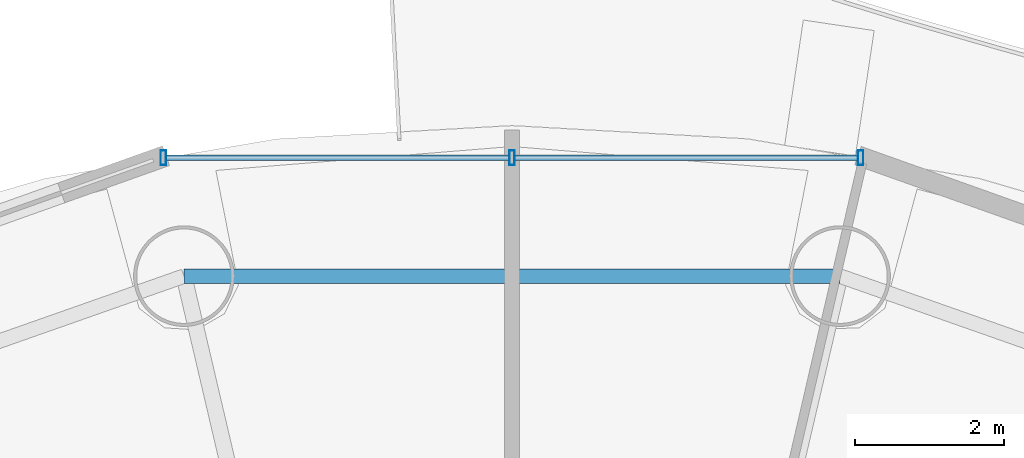
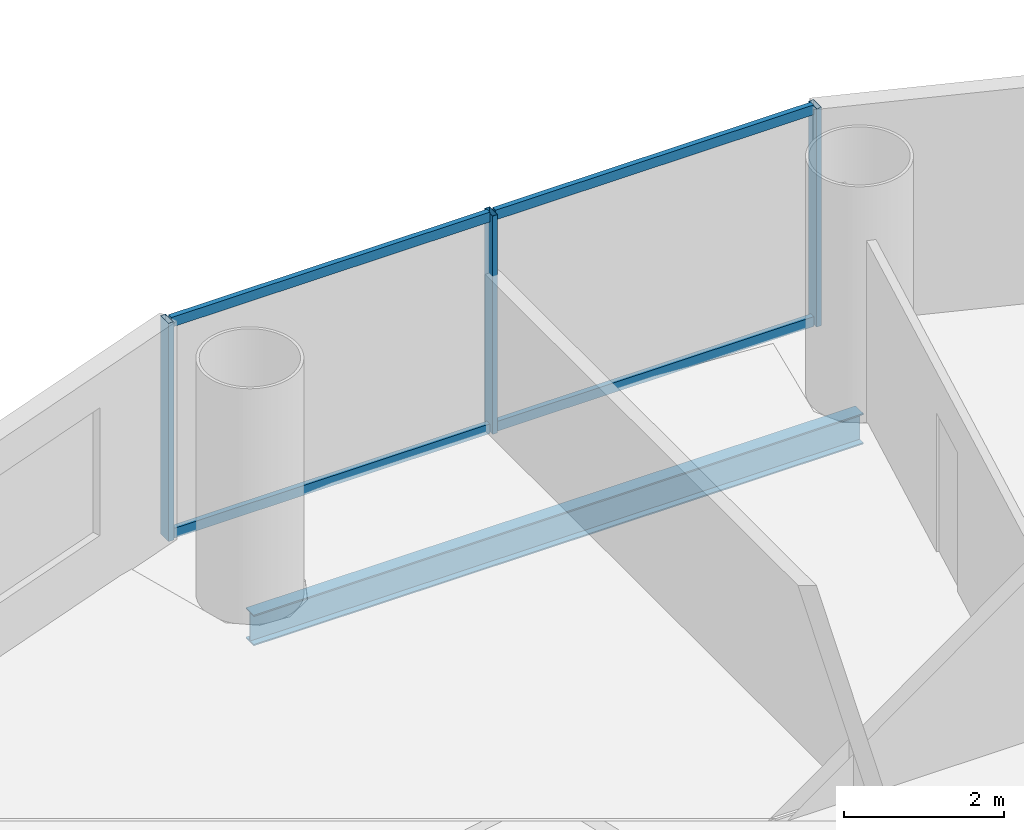
# One storey, part 16 of 26: 7 members, 1 beam, 1 element without a shape of its own.
"""IFC4 building model written with IfcOpenShell, lengths in metres."""

from ifc_helpers import new_model, si_unit, direction, frame, origin, origin_2d, place, context, subcontext, project, spatial, hollow_rectangle, i_section, extrude, source, transform, mapped, material, material_profile, profile_set, type_object, element, aggregate, save


model = new_model("IFC4")

# Units and contexts
model_context = context("Model", 3, precision=1e-05, world=origin(), true_north=direction((-0.2419218956, 0.970295726276)))
body_context = subcontext(model_context, "Body", "Model", "MODEL_VIEW")
ifc_project = project(units=[si_unit("LENGTHUNIT", "METRE"), si_unit("AREAUNIT", "SQUARE_METRE"), si_unit("VOLUMEUNIT", "CUBIC_METRE"), si_unit("PLANEANGLEUNIT", "RADIAN"), si_unit("MASSUNIT", "GRAM", prefix="KILO")], contexts=[model_context])

# Site, building, storey
site_placement = place(None, origin())
site = spatial("IfcSite", under=ifc_project, at=site_placement, CompositionType="ELEMENT")
building_placement = place(site_placement, origin())
building = spatial("IfcBuilding", under=site, at=building_placement, Name="Cobrevalo Terracotta Tower", CompositionType="ELEMENT")
storey_placement = place(building_placement, frame((0.0, 0.0, 178.60009765625)))
storey = spatial("IfcBuildingStorey", under=building, at=storey_placement, Name="L47", CompositionType="ELEMENT", Elevation=178.60009765625)

# Beam
ifc_material_1 = material(Name="Steel S355", Category="steel")
ifc_material_profile_1 = material_profile(ifc_material_1, i_section(OverallWidth=0.194091796875, OverallDepth=0.468994140625, WebThickness=0.011474609375, FlangeThickness=0.0205078125, at=origin_2d()), Name="W 460x106")
ifc_profile_set_1 = profile_set([ifc_material_profile_1], Name="Steel S355")
beam_type = type_object("IfcBeamType", Name="Structural Spandrel W 460x106 (Steel S355)", PredefinedType="SPANDREL", material=ifc_profile_set_1)
beam_placement = place(storey_placement, frame((42.399169921875, 45.58203125, -0.504638671875), z_axis=(-1.0, 0.0, 0.0), x_axis=(0.0, -1.0, 0.0)))
element("IfcBeam", 1, at=beam_placement, inside=storey, type_object=beam_type, Name="L47 perimeter ring spandrel 04", PredefinedType="SPANDREL", context=body_context, shape_type="SweptSolid", body=[
    extrude(i_section(OverallWidth=0.194091796875, OverallDepth=0.468994140625, WebThickness=0.011474609375, FlangeThickness=0.0205078125, at=origin_2d()), origin(), (0.0, 0.0, 1.0), 8.79833984375),
])

# Curtain wall, members
ifc_material_2 = material(Name="Anodized aluminium", Category="aluminium")
curtain_wall_type = type_object("IfcCurtainWallType", Name="Mid-tower high-wind unitised curtain wall CW-U2", PredefinedType="NOTDEFINED", material=ifc_material_2)
curtain_wall_placement = place(storey_placement, origin())
curtain_wall = element("IfcCurtainWall", 2, at=curtain_wall_placement, inside=storey, type_object=curtain_wall_type, Name="L47 curtain wall CW-L47-S04", PredefinedType="NOTDEFINED")
ifc_material_profile_2 = material_profile(ifc_material_2, hollow_rectangle(XDim=0.074951171875, YDim=0.14990234375, WallThickness=0.00439453125, at=origin_2d()), Name="CWT 75x150")
ifc_profile_set_2 = profile_set([ifc_material_profile_2], Name="Anodized aluminium")
member_type_1 = type_object("IfcMemberType", Name="Tower unitised aluminium transom 75x150", PredefinedType="USERDEFINED", material=ifc_profile_set_2)
shared_shape_1 = source(origin(), body_context, "Body", "SweptSolid", [
    extrude(hollow_rectangle(XDim=0.074951171875, YDim=0.14990234375, WallThickness=0.00439453125, at=origin_2d()), origin(), (0.0, 0.0, 1.0), 4.59521484375),
])
member_1_placement = place(storey_placement, frame((42.63525390625, 47.1708984375, 0.0498046875), z_axis=(-1.0, 0.0, 0.0), x_axis=(0.0, -1.0, 0.0)))
member_1 = element("IfcMember", 3, at=member_1_placement, type_object=member_type_1, Name="CW-L47-S04 transom B01-T1", ObjectType="TRANSOM", PredefinedType="USERDEFINED", context=body_context, shape_type="MappedRepresentation", body=[
    mapped(shared_shape_1, transform((0.0, 0.0, 0.0), scale=1.0)),
])
member_2_placement = place(storey_placement, frame((42.63525390625, 47.1708984375, 3.27978515625), z_axis=(-1.0, 0.0, 0.0), x_axis=(0.0, -1.0, 0.0)))
member_2 = element("IfcMember", 4, at=member_2_placement, type_object=member_type_1, Name="CW-L47-S04 transom B01-T2", ObjectType="TRANSOM", PredefinedType="USERDEFINED", context=body_context, shape_type="MappedRepresentation", body=[
    mapped(shared_shape_1, transform((0.0, 0.0, 0.0), scale=1.0)),
])
member_3_placement = place(storey_placement, frame((37.9599609375, 47.1708984375, 0.0498046875), z_axis=(-1.0, 0.0, 0.0), x_axis=(0.0, -1.0, 0.0)))
member_3 = element("IfcMember", 5, at=member_3_placement, type_object=member_type_1, Name="CW-L47-S04 transom B02-T1", ObjectType="TRANSOM", PredefinedType="USERDEFINED", context=body_context, shape_type="MappedRepresentation", body=[
    mapped(shared_shape_1, transform((0.0, 0.0, 0.0), scale=1.0)),
])
member_4_placement = place(storey_placement, frame((37.9599609375, 47.1708984375, 3.27978515625), z_axis=(-1.0, 0.0, 0.0), x_axis=(0.0, -1.0, 0.0)))
member_4 = element("IfcMember", 6, at=member_4_placement, type_object=member_type_1, Name="CW-L47-S04 transom B02-T2", ObjectType="TRANSOM", PredefinedType="USERDEFINED", context=body_context, shape_type="MappedRepresentation", body=[
    mapped(shared_shape_1, transform((0.0, 0.0, 0.0), scale=1.0)),
])
ifc_material_profile_3 = material_profile(ifc_material_2, hollow_rectangle(XDim=0.074951171875, YDim=0.199951171875, WallThickness=0.0048828125, at=origin_2d()), Name="CWM 75x200")
ifc_profile_set_3 = profile_set([ifc_material_profile_3], Name="Anodized aluminium")
member_type_2 = type_object("IfcMemberType", Name="Lower/mid tower unitised mullion 75x200", PredefinedType="MULLION", material=ifc_profile_set_3)
shared_shape_2 = source(origin(), body_context, "Body", "SweptSolid", [
    extrude(hollow_rectangle(XDim=0.074951171875, YDim=0.199951171875, WallThickness=0.0048828125, at=origin_2d()), origin(), (0.0, 0.0, 1.0), 3.329833984375),
])
member_5_placement = place(storey_placement, frame((42.67529296875, 47.1708984375, 0.0), z_axis=(0.0, 0.0, 1.0), x_axis=(-1.0, 0.0, 0.0)))
member_5 = element("IfcMember", 7, at=member_5_placement, type_object=member_type_2, Name="CW-L47-S04 vertical mullion 01", PredefinedType="MULLION", context=body_context, shape_type="MappedRepresentation", body=[
    mapped(shared_shape_2, transform((0.0, 0.0, 0.0), scale=1.0)),
])
member_6_placement = place(storey_placement, frame((38.0, 47.1708984375, 0.0), z_axis=(0.0, 0.0, 1.0), x_axis=(-1.0, 0.0, 0.0)))
member_6 = element("IfcMember", 8, at=member_6_placement, type_object=member_type_2, Name="CW-L47-S04 vertical mullion 02", PredefinedType="MULLION", context=body_context, shape_type="MappedRepresentation", body=[
    mapped(shared_shape_2, transform((0.0, 0.0, 0.0), scale=1.0)),
])
member_7_placement = place(storey_placement, frame((33.32470703125, 47.1708984375, 0.0), z_axis=(0.0, 0.0, 1.0), x_axis=(-1.0, 0.0, 0.0)))
member_7 = element("IfcMember", 9, at=member_7_placement, type_object=member_type_2, Name="CW-L47-S04 vertical mullion 03", PredefinedType="MULLION", context=body_context, shape_type="MappedRepresentation", body=[
    mapped(shared_shape_2, transform((0.0, 0.0, 0.0), scale=1.0)),
])
aggregate(curtain_wall, [member_5, member_6, member_7, member_1, member_2, member_3, member_4])

save(model, "model.ifc")
